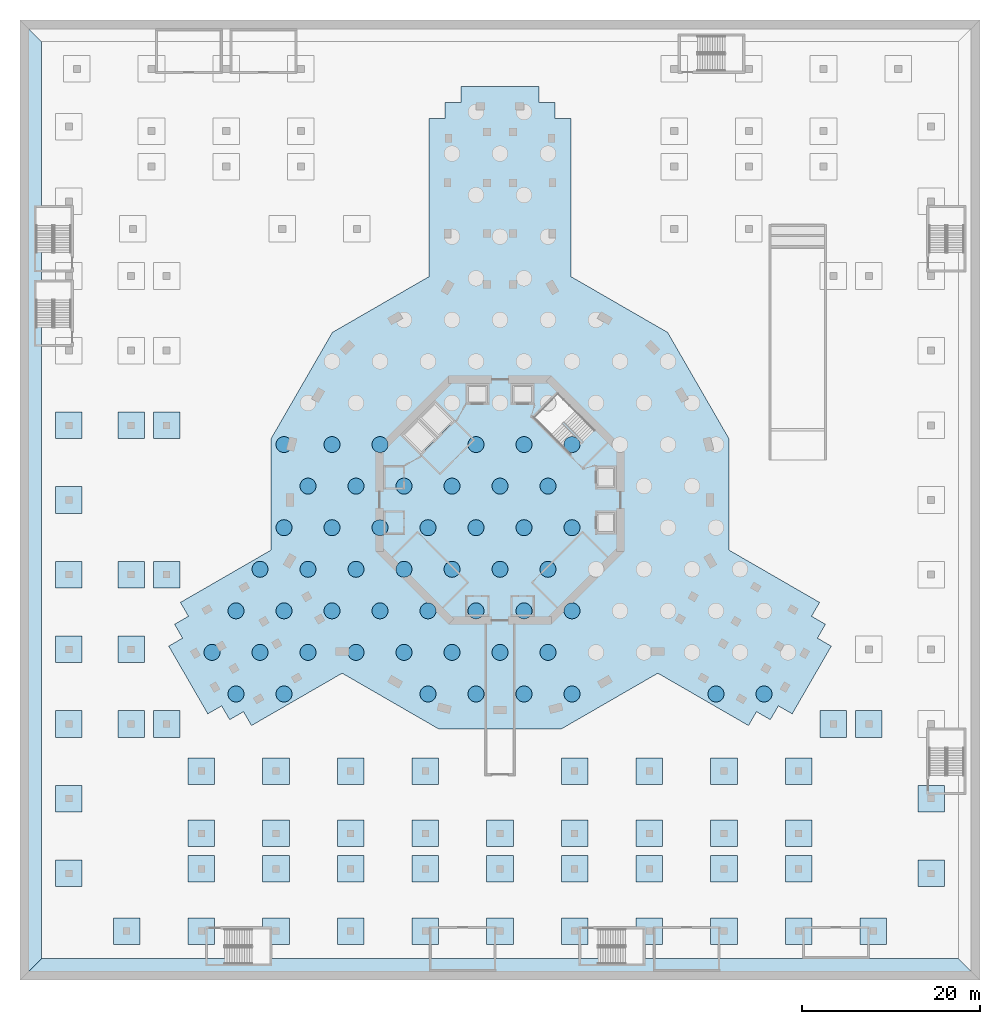
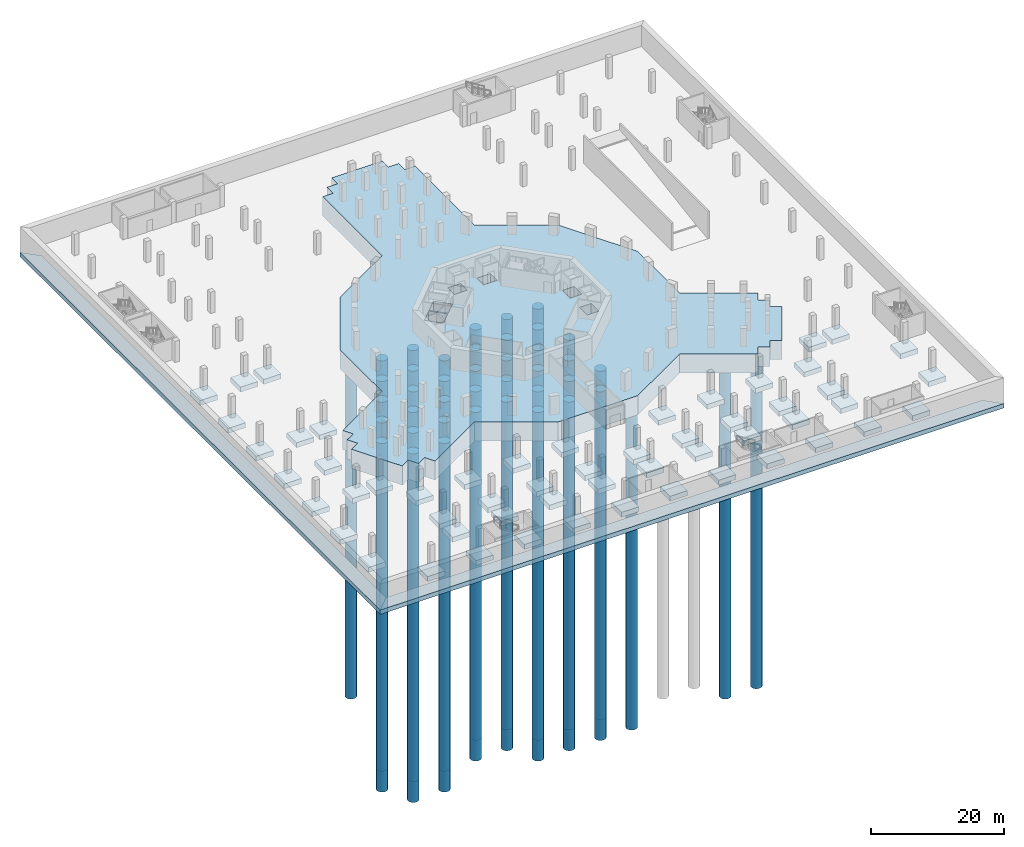
# One storey, part 1 of 27: 58 footings, 50 piles.
"""IFC4 building model written with IfcOpenShell, lengths in metres."""

from ifc_helpers import new_model, si_unit, direction, frame, origin, origin_2d, place, context, subcontext, project, spatial, polyline, circle, outline, extrude, material, layer, layer_set, material_profile, profile_set, type_object, element, save


model = new_model("IFC4")

# Units and contexts
model_context = context("Model", 3, precision=1e-05, world=origin(), true_north=direction((0.0, 1.0)))
body_context = subcontext(model_context, "Body", "Model", "MODEL_VIEW")
ifc_project = project(units=[si_unit("LENGTHUNIT", "METRE"), si_unit("AREAUNIT", "SQUARE_METRE"), si_unit("VOLUMEUNIT", "CUBIC_METRE"), si_unit("PLANEANGLEUNIT", "RADIAN"), si_unit("MASSUNIT", "GRAM", prefix="KILO")], contexts=[model_context])

# Site, building, storey
site_placement = place(None, origin())
site = spatial("IfcSite", under=ifc_project, at=site_placement, CompositionType="ELEMENT")
building_placement = place(site_placement, origin())
building = spatial("IfcBuilding", under=site, at=building_placement, Name="Verdalira Terraces Hotel", CompositionType="ELEMENT")
storey_placement = place(building_placement, frame((0.0, 0.0, -11.699951)))
storey = spatial("IfcBuildingStorey", under=building, at=storey_placement, Name="B3", CompositionType="ELEMENT", Elevation=-11.699951171875)

# Piles
ifc_material_1 = material(Name="Concrete C45", Category="concrete")
ifc_material_profile = material_profile(ifc_material_1, circle(Radius=0.899902, at=origin_2d()), Name="D1800")
ifc_profile_set = profile_set([ifc_material_profile], Name="Concrete C45")
pile_type = type_object("IfcPileType", Name="Bored pile D1800 C45", PredefinedType="BORED", material=ifc_profile_set)
for number, where, z_axis, x_axis, name in (
    (1, (-29.699951, -21.82373, -3.400146), (0.0, 0.0, -1.0), (1.0, 0.0, 0.0), "Bored pile P-001"),
    (2, (-24.300049, -21.82373, -3.400146), (0.0, 0.0, -1.0), (1.0, 0.0, 0.0), "Bored pile P-002"),
    (3, (-8.100098, -21.82373, -3.400146), (0.0, 0.0, -1.0), (1.0, 0.0, 0.0), "Bored pile P-003"),
    (4, (-2.699951, -21.82373, -3.400146), (0.0, 0.0, -1.0), (1.0, 0.0, 0.0), "Bored pile P-004"),
    (5, (2.699951, -21.82373, -3.400146), (0.0, 0.0, -1.0), (1.0, 0.0, 0.0), "Bored pile P-005"),
    (6, (8.100098, -21.82373, -3.400146), (0.0, 0.0, -1.0), (1.0, 0.0, 0.0), "Bored pile P-006"),
    (7, (24.300049, -21.82373, -3.400146), (0.0, 0.0, -1.0), (1.0, 0.0, 0.0), "Bored pile P-007"),
    (8, (29.699951, -21.82373, -3.400146), (0.0, 0.0, -1.0), (1.0, 0.0, 0.0), "Bored pile P-008"),
    (9, (-32.399902, -17.147217, -3.400146), (0.0, 0.0, -1.0), (1.0, 0.0, 0.0), "Bored pile P-009"),
    (10, (-27.0, -17.147217, -3.400146), (0.0, 0.0, -1.0), (1.0, 0.0, 0.0), "Bored pile P-010"),
    (11, (-21.600098, -17.147217, -3.400146), (0.0, 0.0, -1.0), (1.0, 0.0, 0.0), "Bored pile P-011"),
    (12, (-16.199951, -17.147217, -3.400146), (0.0, 0.0, -1.0), (1.0, 0.0, 0.0), "Bored pile P-012"),
    (13, (-10.800049, -17.147217, -3.400146), (0.0, 0.0, -1.0), (1.0, 0.0, 0.0), "Bored pile P-013"),
    (14, (-5.399902, -17.147217, -3.400146), (0.0, 0.0, -1.0), (1.0, 0.0, 0.0), "Bored pile P-014"),
    (15, (0.0, -17.147217, -3.400146), (0.0, 0.0, -1.0), (1.0, 0.0, 0.0), "Bored pile P-015"),
    (16, (5.399902, -17.147217, -3.400146), (0.0, 0.0, -1.0), (1.0, 0.0, 0.0), "Bored pile P-016"),
    (17, (-29.699951, -12.470703, -3.400146), (0.0, 0.0, -1.0), (1.0, 0.0, 0.0), "Bored pile P-022"),
    (18, (-24.300049, -12.470703, -3.400146), (0.0, 0.0, -1.0), (1.0, 0.0, 0.0), "Bored pile P-023"),
    (19, (-18.899902, -12.470703, -3.400146), (0.0, 0.0, -1.0), (1.0, 0.0, 0.0), "Bored pile P-024"),
    (20, (-13.5, -12.470703, -3.400146), (0.0, 0.0, -1.0), (1.0, 0.0, 0.0), "Bored pile P-025"),
    (21, (-8.100098, -12.470703, -3.400146), (0.0, 0.0, -1.0), (1.0, 0.0, 0.0), "Bored pile P-026"),
    (22, (-2.699951, -12.470703, -3.400146), (0.0, 0.0, -1.0), (1.0, 0.0, 0.0), "Bored pile P-027"),
    (23, (2.699951, -12.470703, -3.400146), (0.0, 0.0, -1.0), (1.0, 0.0, 0.0), "Bored pile P-028"),
    (24, (8.100098, -12.470703, -3.400146), (0.0, 0.0, -1.0), (1.0, 0.0, 0.0), "Bored pile P-029"),
    (25, (-27.0, -7.794189, -3.400146), (0.0, 0.0, -1.0), (1.0, 0.0, 0.0), "Bored pile P-034"),
    (26, (-21.600098, -7.794189, -3.400146), (0.0, 0.0, -1.0), (1.0, 0.0, 0.0), "Bored pile P-035"),
    (27, (-16.199951, -7.794189, -3.400146), (0.0, 0.0, -1.0), (1.0, 0.0, 0.0), "Bored pile P-036"),
    (28, (-10.800049, -7.794189, -3.400146), (0.0, 0.0, -1.0), (1.0, 0.0, 0.0), "Bored pile P-037"),
    (29, (-5.399902, -7.794189, -3.400146), (0.0, 0.0, -1.0), (1.0, 0.0, 0.0), "Bored pile P-038"),
    (30, (0.0, -7.794189, -3.400146), (0.0, 0.0, -1.0), (1.0, 0.0, 0.0), "Bored pile P-039"),
    (31, (5.399902, -7.794189, -3.400146), (0.0, 0.0, -1.0), (1.0, 0.0, 0.0), "Bored pile P-040"),
    (32, (-24.300049, -3.117676, -3.400146), (0.0, 0.0, -1.0), (1.0, 0.0, 0.0), "Bored pile P-045"),
    (33, (-18.899902, -3.117676, -3.400146), (0.0, 0.0, -1.0), (1.0, 0.0, 0.0), "Bored pile P-046"),
    (34, (-13.5, -3.117676, -3.400146), (0.0, 0.0, -1.0), (1.0, 0.0, 0.0), "Bored pile P-047"),
    (35, (-8.100098, -3.117676, -3.400146), (0.0, 0.0, -1.0), (1.0, 0.0, 0.0), "Bored pile P-048"),
    (36, (-2.699951, -3.117676, -3.400146), (0.0, 0.0, -1.0), (1.0, 0.0, 0.0), "Bored pile P-049"),
    (37, (2.699951, -3.117676, -3.400146), (0.0, 0.0, -1.0), (1.0, 0.0, 0.0), "Bored pile P-050"),
    (38, (8.100098, -3.117676, -3.400146), (0.0, 0.0, -1.0), (1.0, 0.0, 0.0), "Bored pile P-051"),
    (39, (-21.600098, 1.558838, -3.400146), (0.0, 0.0, -1.0), (1.0, 0.0, 0.0), "Bored pile P-054"),
    (40, (-16.199951, 1.558838, -3.400146), (0.0, 0.0, -1.0), (1.0, 0.0, 0.0), "Bored pile P-055"),
    (41, (-10.800049, 1.558838, -3.400146), (0.0, 0.0, -1.0), (1.0, 0.0, 0.0), "Bored pile P-056"),
    (42, (-5.399902, 1.558838, -3.400146), (0.0, 0.0, -1.0), (1.0, 0.0, 0.0), "Bored pile P-057"),
    (43, (0.0, 1.558838, -3.400146), (0.0, 0.0, -1.0), (1.0, 0.0, 0.0), "Bored pile P-058"),
    (44, (5.399902, 1.558838, -3.400146), (0.0, 0.0, -1.0), (1.0, 0.0, 0.0), "Bored pile P-059"),
    (45, (-24.300049, 6.235352, -3.400146), (0.0, 0.0, -1.0), (1.0, 0.0, 0.0), "Bored pile P-062"),
    (46, (-18.899902, 6.235352, -3.400146), (0.0, 0.0, -1.0), (1.0, 0.0, 0.0), "Bored pile P-063"),
    (47, (-13.5, 6.235352, -3.400146), (0.0, 0.0, -1.0), (1.0, 0.0, 0.0), "Bored pile P-064"),
    (48, (-2.699951, 6.235352, -3.400146), (0.0, 0.0, -1.0), (1.0, 0.0, 0.0), "Bored pile P-065"),
    (49, (2.699951, 6.235352, -3.400146), (0.0, 0.0, -1.0), (1.0, 0.0, 0.0), "Bored pile P-066"),
    (50, (8.100098, 6.235352, -3.400146), (0.0, 0.0, -1.0), (1.0, 0.0, 0.0), "Bored pile P-067"),
):
    element("IfcPile", number, at=place(storey_placement, frame(where, z_axis=z_axis, x_axis=x_axis)), inside=storey, type_object=pile_type, Name=name, PredefinedType="BORED", context=body_context, shape_type="SweptSolid", body=[
        extrude(circle(Radius=0.899902, at=origin_2d()), origin(), (0.0, 0.0, 1.0), 60.0),
    ])

# Footings
ifc_material_2 = material(Name="Concrete C40", Category="concrete")
footing_type_1 = type_object("IfcFootingType", Name="Pad footing 3000 C40", PredefinedType="PAD_FOOTING", material=ifc_material_2)
footing_1_placement = place(storey_placement, frame((0.0, 0.0, -1.699951)))
element("IfcFooting", 51, at=footing_1_placement, inside=storey, type_object=footing_type_1, Name="Pad footing 001", PredefinedType="PAD_FOOTING", context=body_context, shape_type="SweptSolid", body=[
    extrude(outline(polyline([(-40.5, -50.0), (-40.5, -47.0), (-43.5, -47.0), (-43.5, -50.0), (-40.5, -50.0)])), origin(), (0.0, 0.0, 1.0), 0.899902),
])
footing_2_placement = place(storey_placement, frame((0.0, 0.0, -1.699951)))
element("IfcFooting", 52, at=footing_2_placement, inside=storey, type_object=footing_type_1, Name="Pad footing 002", PredefinedType="PAD_FOOTING", context=body_context, shape_type="SweptSolid", body=[
    extrude(outline(polyline([(-32.100098, -50.0), (-32.100098, -47.0), (-35.100098, -47.0), (-35.100098, -50.0), (-32.100098, -50.0)])), origin(), (0.0, 0.0, 1.0), 0.899902),
])
footing_3_placement = place(storey_placement, frame((0.0, 0.0, -1.699951)))
element("IfcFooting", 53, at=footing_3_placement, inside=storey, type_object=footing_type_1, Name="Pad footing 003", PredefinedType="PAD_FOOTING", context=body_context, shape_type="SweptSolid", body=[
    extrude(outline(polyline([(-23.699951, -50.0), (-23.699951, -47.0), (-26.699951, -47.0), (-26.699951, -50.0), (-23.699951, -50.0)])), origin(), (0.0, 0.0, 1.0), 0.899902),
])
footing_4_placement = place(storey_placement, frame((0.0, 0.0, -1.699951)))
element("IfcFooting", 54, at=footing_4_placement, inside=storey, type_object=footing_type_1, Name="Pad footing 004", PredefinedType="PAD_FOOTING", context=body_context, shape_type="SweptSolid", body=[
    extrude(outline(polyline([(-15.300049, -50.0), (-15.300049, -47.0), (-18.300049, -47.0), (-18.300049, -50.0), (-15.300049, -50.0)])), origin(), (0.0, 0.0, 1.0), 0.899902),
])
footing_5_placement = place(storey_placement, frame((0.0, 0.0, -1.699951)))
element("IfcFooting", 55, at=footing_5_placement, inside=storey, type_object=footing_type_1, Name="Pad footing 005", PredefinedType="PAD_FOOTING", context=body_context, shape_type="SweptSolid", body=[
    extrude(outline(polyline([(-6.899902, -50.0), (-6.899902, -47.0), (-9.899902, -47.0), (-9.899902, -50.0), (-6.899902, -50.0)])), origin(), (0.0, 0.0, 1.0), 0.899902),
])
footing_6_placement = place(storey_placement, frame((0.0, 0.0, -1.699951)))
element("IfcFooting", 56, at=footing_6_placement, inside=storey, type_object=footing_type_1, Name="Pad footing 006", PredefinedType="PAD_FOOTING", context=body_context, shape_type="SweptSolid", body=[
    extrude(outline(polyline([(1.5, -50.0), (1.5, -47.0), (-1.5, -47.0), (-1.5, -50.0), (1.5, -50.0)])), origin(), (0.0, 0.0, 1.0), 0.899902),
])
footing_7_placement = place(storey_placement, frame((0.0, 0.0, -1.699951)))
element("IfcFooting", 57, at=footing_7_placement, inside=storey, type_object=footing_type_1, Name="Pad footing 007", PredefinedType="PAD_FOOTING", context=body_context, shape_type="SweptSolid", body=[
    extrude(outline(polyline([(9.899902, -50.0), (9.899902, -47.0), (6.899902, -47.0), (6.899902, -50.0), (9.899902, -50.0)])), origin(), (0.0, 0.0, 1.0), 0.899902),
])
footing_8_placement = place(storey_placement, frame((0.0, 0.0, -1.699951)))
element("IfcFooting", 58, at=footing_8_placement, inside=storey, type_object=footing_type_1, Name="Pad footing 008", PredefinedType="PAD_FOOTING", context=body_context, shape_type="SweptSolid", body=[
    extrude(outline(polyline([(18.300049, -50.0), (18.300049, -47.0), (15.300049, -47.0), (15.300049, -50.0), (18.300049, -50.0)])), origin(), (0.0, 0.0, 1.0), 0.899902),
])
footing_9_placement = place(storey_placement, frame((0.0, 0.0, -1.699951)))
element("IfcFooting", 59, at=footing_9_placement, inside=storey, type_object=footing_type_1, Name="Pad footing 009", PredefinedType="PAD_FOOTING", context=body_context, shape_type="SweptSolid", body=[
    extrude(outline(polyline([(26.699951, -50.0), (26.699951, -47.0), (23.699951, -47.0), (23.699951, -50.0), (26.699951, -50.0)])), origin(), (0.0, 0.0, 1.0), 0.899902),
])
footing_10_placement = place(storey_placement, frame((0.0, 0.0, -1.699951)))
element("IfcFooting", 60, at=footing_10_placement, inside=storey, type_object=footing_type_1, Name="Pad footing 010", PredefinedType="PAD_FOOTING", context=body_context, shape_type="SweptSolid", body=[
    extrude(outline(polyline([(35.100098, -50.0), (35.100098, -47.0), (32.100098, -47.0), (32.100098, -50.0), (35.100098, -50.0)])), origin(), (0.0, 0.0, 1.0), 0.899902),
])
footing_11_placement = place(storey_placement, frame((0.0, 0.0, -1.699951)))
element("IfcFooting", 61, at=footing_11_placement, inside=storey, type_object=footing_type_1, Name="Pad footing 011", PredefinedType="PAD_FOOTING", context=body_context, shape_type="SweptSolid", body=[
    extrude(outline(polyline([(43.5, -50.0), (43.5, -47.0), (40.5, -47.0), (40.5, -50.0), (43.5, -50.0)])), origin(), (0.0, 0.0, 1.0), 0.899902),
])
footing_12_placement = place(storey_placement, frame((0.0, 0.0, -1.699951)))
element("IfcFooting", 62, at=footing_12_placement, inside=storey, type_object=footing_type_1, Name="Pad footing 012", PredefinedType="PAD_FOOTING", context=body_context, shape_type="SweptSolid", body=[
    extrude(outline(polyline([(-47.0, -43.5), (-47.0, -40.5), (-50.0, -40.5), (-50.0, -43.5), (-47.0, -43.5)])), origin(), (0.0, 0.0, 1.0), 0.899902),
])
footing_13_placement = place(storey_placement, frame((0.0, 0.0, -1.699951)))
element("IfcFooting", 63, at=footing_13_placement, inside=storey, type_object=footing_type_1, Name="Pad footing 013", PredefinedType="PAD_FOOTING", context=body_context, shape_type="SweptSolid", body=[
    extrude(outline(polyline([(50.0, -43.5), (50.0, -40.5), (47.0, -40.5), (47.0, -43.5), (50.0, -43.5)])), origin(), (0.0, 0.0, 1.0), 0.899902),
])
footing_14_placement = place(storey_placement, frame((0.0, 0.0, -1.699951)))
element("IfcFooting", 64, at=footing_14_placement, inside=storey, type_object=footing_type_1, Name="Pad footing 014", PredefinedType="PAD_FOOTING", context=body_context, shape_type="SweptSolid", body=[
    extrude(outline(polyline([(-32.100098, -43.0), (-32.100098, -40.0), (-35.100098, -40.0), (-35.100098, -43.0), (-32.100098, -43.0)])), origin(), (0.0, 0.0, 1.0), 0.899902),
])
footing_15_placement = place(storey_placement, frame((0.0, 0.0, -1.699951)))
element("IfcFooting", 65, at=footing_15_placement, inside=storey, type_object=footing_type_1, Name="Pad footing 015", PredefinedType="PAD_FOOTING", context=body_context, shape_type="SweptSolid", body=[
    extrude(outline(polyline([(-23.699951, -43.0), (-23.699951, -40.0), (-26.699951, -40.0), (-26.699951, -43.0), (-23.699951, -43.0)])), origin(), (0.0, 0.0, 1.0), 0.899902),
])
footing_16_placement = place(storey_placement, frame((0.0, 0.0, -1.699951)))
element("IfcFooting", 66, at=footing_16_placement, inside=storey, type_object=footing_type_1, Name="Pad footing 016", PredefinedType="PAD_FOOTING", context=body_context, shape_type="SweptSolid", body=[
    extrude(outline(polyline([(-15.300049, -43.0), (-15.300049, -40.0), (-18.300049, -40.0), (-18.300049, -43.0), (-15.300049, -43.0)])), origin(), (0.0, 0.0, 1.0), 0.899902),
])
footing_17_placement = place(storey_placement, frame((0.0, 0.0, -1.699951)))
element("IfcFooting", 67, at=footing_17_placement, inside=storey, type_object=footing_type_1, Name="Pad footing 017", PredefinedType="PAD_FOOTING", context=body_context, shape_type="SweptSolid", body=[
    extrude(outline(polyline([(-6.899902, -43.0), (-6.899902, -40.0), (-9.899902, -40.0), (-9.899902, -43.0), (-6.899902, -43.0)])), origin(), (0.0, 0.0, 1.0), 0.899902),
])
footing_18_placement = place(storey_placement, frame((0.0, 0.0, -1.699951)))
element("IfcFooting", 68, at=footing_18_placement, inside=storey, type_object=footing_type_1, Name="Pad footing 018", PredefinedType="PAD_FOOTING", context=body_context, shape_type="SweptSolid", body=[
    extrude(outline(polyline([(1.5, -43.0), (1.5, -40.0), (-1.5, -40.0), (-1.5, -43.0), (1.5, -43.0)])), origin(), (0.0, 0.0, 1.0), 0.899902),
])
footing_19_placement = place(storey_placement, frame((0.0, 0.0, -1.699951)))
element("IfcFooting", 69, at=footing_19_placement, inside=storey, type_object=footing_type_1, Name="Pad footing 019", PredefinedType="PAD_FOOTING", context=body_context, shape_type="SweptSolid", body=[
    extrude(outline(polyline([(9.899902, -43.0), (9.899902, -40.0), (6.899902, -40.0), (6.899902, -43.0), (9.899902, -43.0)])), origin(), (0.0, 0.0, 1.0), 0.899902),
])
footing_20_placement = place(storey_placement, frame((0.0, 0.0, -1.699951)))
element("IfcFooting", 70, at=footing_20_placement, inside=storey, type_object=footing_type_1, Name="Pad footing 020", PredefinedType="PAD_FOOTING", context=body_context, shape_type="SweptSolid", body=[
    extrude(outline(polyline([(18.300049, -43.0), (18.300049, -40.0), (15.300049, -40.0), (15.300049, -43.0), (18.300049, -43.0)])), origin(), (0.0, 0.0, 1.0), 0.899902),
])
footing_21_placement = place(storey_placement, frame((0.0, 0.0, -1.699951)))
element("IfcFooting", 71, at=footing_21_placement, inside=storey, type_object=footing_type_1, Name="Pad footing 021", PredefinedType="PAD_FOOTING", context=body_context, shape_type="SweptSolid", body=[
    extrude(outline(polyline([(26.699951, -43.0), (26.699951, -40.0), (23.699951, -40.0), (23.699951, -43.0), (26.699951, -43.0)])), origin(), (0.0, 0.0, 1.0), 0.899902),
])
footing_22_placement = place(storey_placement, frame((0.0, 0.0, -1.699951)))
element("IfcFooting", 72, at=footing_22_placement, inside=storey, type_object=footing_type_1, Name="Pad footing 022", PredefinedType="PAD_FOOTING", context=body_context, shape_type="SweptSolid", body=[
    extrude(outline(polyline([(35.100098, -43.0), (35.100098, -40.0), (32.100098, -40.0), (32.100098, -43.0), (35.100098, -43.0)])), origin(), (0.0, 0.0, 1.0), 0.899902),
])
footing_23_placement = place(storey_placement, frame((0.0, 0.0, -1.699951)))
element("IfcFooting", 73, at=footing_23_placement, inside=storey, type_object=footing_type_1, Name="Pad footing 023", PredefinedType="PAD_FOOTING", context=body_context, shape_type="SweptSolid", body=[
    extrude(outline(polyline([(-32.100098, -39.0), (-32.100098, -36.0), (-35.100098, -36.0), (-35.100098, -39.0), (-32.100098, -39.0)])), origin(), (0.0, 0.0, 1.0), 0.899902),
])
footing_24_placement = place(storey_placement, frame((0.0, 0.0, -1.699951)))
element("IfcFooting", 74, at=footing_24_placement, inside=storey, type_object=footing_type_1, Name="Pad footing 024", PredefinedType="PAD_FOOTING", context=body_context, shape_type="SweptSolid", body=[
    extrude(outline(polyline([(-23.699951, -39.0), (-23.699951, -36.0), (-26.699951, -36.0), (-26.699951, -39.0), (-23.699951, -39.0)])), origin(), (0.0, 0.0, 1.0), 0.899902),
])
footing_25_placement = place(storey_placement, frame((0.0, 0.0, -1.699951)))
element("IfcFooting", 75, at=footing_25_placement, inside=storey, type_object=footing_type_1, Name="Pad footing 025", PredefinedType="PAD_FOOTING", context=body_context, shape_type="SweptSolid", body=[
    extrude(outline(polyline([(-15.300049, -39.0), (-15.300049, -36.0), (-18.300049, -36.0), (-18.300049, -39.0), (-15.300049, -39.0)])), origin(), (0.0, 0.0, 1.0), 0.899902),
])
footing_26_placement = place(storey_placement, frame((0.0, 0.0, -1.699951)))
element("IfcFooting", 76, at=footing_26_placement, inside=storey, type_object=footing_type_1, Name="Pad footing 026", PredefinedType="PAD_FOOTING", context=body_context, shape_type="SweptSolid", body=[
    extrude(outline(polyline([(-6.899902, -39.0), (-6.899902, -36.0), (-9.899902, -36.0), (-9.899902, -39.0), (-6.899902, -39.0)])), origin(), (0.0, 0.0, 1.0), 0.899902),
])
footing_27_placement = place(storey_placement, frame((0.0, 0.0, -1.699951)))
element("IfcFooting", 77, at=footing_27_placement, inside=storey, type_object=footing_type_1, Name="Pad footing 027", PredefinedType="PAD_FOOTING", context=body_context, shape_type="SweptSolid", body=[
    extrude(outline(polyline([(1.5, -39.0), (1.5, -36.0), (-1.5, -36.0), (-1.5, -39.0), (1.5, -39.0)])), origin(), (0.0, 0.0, 1.0), 0.899902),
])
footing_28_placement = place(storey_placement, frame((0.0, 0.0, -1.699951)))
element("IfcFooting", 78, at=footing_28_placement, inside=storey, type_object=footing_type_1, Name="Pad footing 028", PredefinedType="PAD_FOOTING", context=body_context, shape_type="SweptSolid", body=[
    extrude(outline(polyline([(9.899902, -39.0), (9.899902, -36.0), (6.899902, -36.0), (6.899902, -39.0), (9.899902, -39.0)])), origin(), (0.0, 0.0, 1.0), 0.899902),
])
footing_29_placement = place(storey_placement, frame((0.0, 0.0, -1.699951)))
element("IfcFooting", 79, at=footing_29_placement, inside=storey, type_object=footing_type_1, Name="Pad footing 029", PredefinedType="PAD_FOOTING", context=body_context, shape_type="SweptSolid", body=[
    extrude(outline(polyline([(18.300049, -39.0), (18.300049, -36.0), (15.300049, -36.0), (15.300049, -39.0), (18.300049, -39.0)])), origin(), (0.0, 0.0, 1.0), 0.899902),
])
footing_30_placement = place(storey_placement, frame((0.0, 0.0, -1.699951)))
element("IfcFooting", 80, at=footing_30_placement, inside=storey, type_object=footing_type_1, Name="Pad footing 030", PredefinedType="PAD_FOOTING", context=body_context, shape_type="SweptSolid", body=[
    extrude(outline(polyline([(26.699951, -39.0), (26.699951, -36.0), (23.699951, -36.0), (23.699951, -39.0), (26.699951, -39.0)])), origin(), (0.0, 0.0, 1.0), 0.899902),
])
footing_31_placement = place(storey_placement, frame((0.0, 0.0, -1.699951)))
element("IfcFooting", 81, at=footing_31_placement, inside=storey, type_object=footing_type_1, Name="Pad footing 031", PredefinedType="PAD_FOOTING", context=body_context, shape_type="SweptSolid", body=[
    extrude(outline(polyline([(35.100098, -39.0), (35.100098, -36.0), (32.100098, -36.0), (32.100098, -39.0), (35.100098, -39.0)])), origin(), (0.0, 0.0, 1.0), 0.899902),
])
footing_32_placement = place(storey_placement, frame((0.0, 0.0, -1.699951)))
element("IfcFooting", 82, at=footing_32_placement, inside=storey, type_object=footing_type_1, Name="Pad footing 032", PredefinedType="PAD_FOOTING", context=body_context, shape_type="SweptSolid", body=[
    extrude(outline(polyline([(-47.0, -35.100098), (-47.0, -32.100098), (-50.0, -32.100098), (-50.0, -35.100098), (-47.0, -35.100098)])), origin(), (0.0, 0.0, 1.0), 0.899902),
])
footing_33_placement = place(storey_placement, frame((0.0, 0.0, -1.699951)))
element("IfcFooting", 83, at=footing_33_placement, inside=storey, type_object=footing_type_1, Name="Pad footing 033", PredefinedType="PAD_FOOTING", context=body_context, shape_type="SweptSolid", body=[
    extrude(outline(polyline([(50.0, -35.100098), (50.0, -32.100098), (47.0, -32.100098), (47.0, -35.100098), (50.0, -35.100098)])), origin(), (0.0, 0.0, 1.0), 0.899902),
])
footing_34_placement = place(storey_placement, frame((0.0, 0.0, -1.699951)))
element("IfcFooting", 84, at=footing_34_placement, inside=storey, type_object=footing_type_1, Name="Pad footing 034", PredefinedType="PAD_FOOTING", context=body_context, shape_type="SweptSolid", body=[
    extrude(outline(polyline([(-32.100098, -32.0), (-32.100098, -29.0), (-35.100098, -29.0), (-35.100098, -32.0), (-32.100098, -32.0)])), origin(), (0.0, 0.0, 1.0), 0.899902),
])
footing_35_placement = place(storey_placement, frame((0.0, 0.0, -1.699951)))
element("IfcFooting", 85, at=footing_35_placement, inside=storey, type_object=footing_type_1, Name="Pad footing 035", PredefinedType="PAD_FOOTING", context=body_context, shape_type="SweptSolid", body=[
    extrude(outline(polyline([(-23.699951, -32.0), (-23.699951, -29.0), (-26.699951, -29.0), (-26.699951, -32.0), (-23.699951, -32.0)])), origin(), (0.0, 0.0, 1.0), 0.899902),
])
footing_36_placement = place(storey_placement, frame((0.0, 0.0, -1.699951)))
element("IfcFooting", 86, at=footing_36_placement, inside=storey, type_object=footing_type_1, Name="Pad footing 036", PredefinedType="PAD_FOOTING", context=body_context, shape_type="SweptSolid", body=[
    extrude(outline(polyline([(-15.300049, -32.0), (-15.300049, -29.0), (-18.300049, -29.0), (-18.300049, -32.0), (-15.300049, -32.0)])), origin(), (0.0, 0.0, 1.0), 0.899902),
])
footing_37_placement = place(storey_placement, frame((0.0, 0.0, -1.699951)))
element("IfcFooting", 87, at=footing_37_placement, inside=storey, type_object=footing_type_1, Name="Pad footing 037", PredefinedType="PAD_FOOTING", context=body_context, shape_type="SweptSolid", body=[
    extrude(outline(polyline([(-6.899902, -32.0), (-6.899902, -29.0), (-9.899902, -29.0), (-9.899902, -32.0), (-6.899902, -32.0)])), origin(), (0.0, 0.0, 1.0), 0.899902),
])
footing_38_placement = place(storey_placement, frame((0.0, 0.0, -1.699951)))
element("IfcFooting", 88, at=footing_38_placement, inside=storey, type_object=footing_type_1, Name="Pad footing 038", PredefinedType="PAD_FOOTING", context=body_context, shape_type="SweptSolid", body=[
    extrude(outline(polyline([(9.899902, -32.0), (9.899902, -29.0), (6.899902, -29.0), (6.899902, -32.0), (9.899902, -32.0)])), origin(), (0.0, 0.0, 1.0), 0.899902),
])
footing_39_placement = place(storey_placement, frame((0.0, 0.0, -1.699951)))
element("IfcFooting", 89, at=footing_39_placement, inside=storey, type_object=footing_type_1, Name="Pad footing 039", PredefinedType="PAD_FOOTING", context=body_context, shape_type="SweptSolid", body=[
    extrude(outline(polyline([(18.300049, -32.0), (18.300049, -29.0), (15.300049, -29.0), (15.300049, -32.0), (18.300049, -32.0)])), origin(), (0.0, 0.0, 1.0), 0.899902),
])
footing_40_placement = place(storey_placement, frame((0.0, 0.0, -1.699951)))
element("IfcFooting", 90, at=footing_40_placement, inside=storey, type_object=footing_type_1, Name="Pad footing 040", PredefinedType="PAD_FOOTING", context=body_context, shape_type="SweptSolid", body=[
    extrude(outline(polyline([(26.699951, -32.0), (26.699951, -29.0), (23.699951, -29.0), (23.699951, -32.0), (26.699951, -32.0)])), origin(), (0.0, 0.0, 1.0), 0.899902),
])
footing_41_placement = place(storey_placement, frame((0.0, 0.0, -1.699951)))
element("IfcFooting", 91, at=footing_41_placement, inside=storey, type_object=footing_type_1, Name="Pad footing 041", PredefinedType="PAD_FOOTING", context=body_context, shape_type="SweptSolid", body=[
    extrude(outline(polyline([(35.100098, -32.0), (35.100098, -29.0), (32.100098, -29.0), (32.100098, -32.0), (35.100098, -32.0)])), origin(), (0.0, 0.0, 1.0), 0.899902),
])
footing_42_placement = place(storey_placement, frame((0.0, 0.0, -1.699951)))
element("IfcFooting", 92, at=footing_42_placement, inside=storey, type_object=footing_type_1, Name="Pad footing 042", PredefinedType="PAD_FOOTING", context=body_context, shape_type="SweptSolid", body=[
    extrude(outline(polyline([(-47.0, -26.699951), (-47.0, -23.699951), (-50.0, -23.699951), (-50.0, -26.699951), (-47.0, -26.699951)])), origin(), (0.0, 0.0, 1.0), 0.899902),
])
footing_43_placement = place(storey_placement, frame((0.0, 0.0, -1.699951)))
element("IfcFooting", 93, at=footing_43_placement, inside=storey, type_object=footing_type_1, Name="Pad footing 043", PredefinedType="PAD_FOOTING", context=body_context, shape_type="SweptSolid", body=[
    extrude(outline(polyline([(-40.0, -26.699951), (-40.0, -23.699951), (-43.0, -23.699951), (-43.0, -26.699951), (-40.0, -26.699951)])), origin(), (0.0, 0.0, 1.0), 0.899902),
])
footing_44_placement = place(storey_placement, frame((0.0, 0.0, -1.699951)))
element("IfcFooting", 94, at=footing_44_placement, inside=storey, type_object=footing_type_1, Name="Pad footing 044", PredefinedType="PAD_FOOTING", context=body_context, shape_type="SweptSolid", body=[
    extrude(outline(polyline([(-36.0, -26.699951), (-36.0, -23.699951), (-39.0, -23.699951), (-39.0, -26.699951), (-36.0, -26.699951)])), origin(), (0.0, 0.0, 1.0), 0.899902),
])
footing_45_placement = place(storey_placement, frame((0.0, 0.0, -1.699951)))
element("IfcFooting", 95, at=footing_45_placement, inside=storey, type_object=footing_type_1, Name="Pad footing 045", PredefinedType="PAD_FOOTING", context=body_context, shape_type="SweptSolid", body=[
    extrude(outline(polyline([(39.0, -26.699951), (39.0, -23.699951), (36.0, -23.699951), (36.0, -26.699951), (39.0, -26.699951)])), origin(), (0.0, 0.0, 1.0), 0.899902),
])
footing_46_placement = place(storey_placement, frame((0.0, 0.0, -1.699951)))
element("IfcFooting", 96, at=footing_46_placement, inside=storey, type_object=footing_type_1, Name="Pad footing 046", PredefinedType="PAD_FOOTING", context=body_context, shape_type="SweptSolid", body=[
    extrude(outline(polyline([(43.0, -26.699951), (43.0, -23.699951), (40.0, -23.699951), (40.0, -26.699951), (43.0, -26.699951)])), origin(), (0.0, 0.0, 1.0), 0.899902),
])
footing_47_placement = place(storey_placement, frame((0.0, 0.0, -1.699951)))
element("IfcFooting", 97, at=footing_47_placement, inside=storey, type_object=footing_type_1, Name="Pad footing 048", PredefinedType="PAD_FOOTING", context=body_context, shape_type="SweptSolid", body=[
    extrude(outline(polyline([(-47.0, -18.300049), (-47.0, -15.300049), (-50.0, -15.300049), (-50.0, -18.300049), (-47.0, -18.300049)])), origin(), (0.0, 0.0, 1.0), 0.899902),
])
footing_48_placement = place(storey_placement, frame((0.0, 0.0, -1.699951)))
element("IfcFooting", 98, at=footing_48_placement, inside=storey, type_object=footing_type_1, Name="Pad footing 049", PredefinedType="PAD_FOOTING", context=body_context, shape_type="SweptSolid", body=[
    extrude(outline(polyline([(-40.0, -18.300049), (-40.0, -15.300049), (-43.0, -15.300049), (-43.0, -18.300049), (-40.0, -18.300049)])), origin(), (0.0, 0.0, 1.0), 0.899902),
])
footing_49_placement = place(storey_placement, frame((0.0, 0.0, -1.699951)))
element("IfcFooting", 99, at=footing_49_placement, inside=storey, type_object=footing_type_1, Name="Pad footing 052", PredefinedType="PAD_FOOTING", context=body_context, shape_type="SweptSolid", body=[
    extrude(outline(polyline([(-47.0, -9.899902), (-47.0, -6.899902), (-50.0, -6.899902), (-50.0, -9.899902), (-47.0, -9.899902)])), origin(), (0.0, 0.0, 1.0), 0.899902),
])
footing_50_placement = place(storey_placement, frame((0.0, 0.0, -1.699951)))
element("IfcFooting", 100, at=footing_50_placement, inside=storey, type_object=footing_type_1, Name="Pad footing 053", PredefinedType="PAD_FOOTING", context=body_context, shape_type="SweptSolid", body=[
    extrude(outline(polyline([(-40.0, -9.899902), (-40.0, -6.899902), (-43.0, -6.899902), (-43.0, -9.899902), (-40.0, -9.899902)])), origin(), (0.0, 0.0, 1.0), 0.899902),
])
footing_51_placement = place(storey_placement, frame((0.0, 0.0, -1.699951)))
element("IfcFooting", 101, at=footing_51_placement, inside=storey, type_object=footing_type_1, Name="Pad footing 054", PredefinedType="PAD_FOOTING", context=body_context, shape_type="SweptSolid", body=[
    extrude(outline(polyline([(-36.0, -9.899902), (-36.0, -6.899902), (-39.0, -6.899902), (-39.0, -9.899902), (-36.0, -9.899902)])), origin(), (0.0, 0.0, 1.0), 0.899902),
])
footing_52_placement = place(storey_placement, frame((0.0, 0.0, -1.699951)))
element("IfcFooting", 102, at=footing_52_placement, inside=storey, type_object=footing_type_1, Name="Pad footing 056", PredefinedType="PAD_FOOTING", context=body_context, shape_type="SweptSolid", body=[
    extrude(outline(polyline([(-47.0, -1.5), (-47.0, 1.5), (-50.0, 1.5), (-50.0, -1.5), (-47.0, -1.5)])), origin(), (0.0, 0.0, 1.0), 0.899902),
])
footing_53_placement = place(storey_placement, frame((0.0, 0.0, -1.699951)))
element("IfcFooting", 103, at=footing_53_placement, inside=storey, type_object=footing_type_1, Name="Pad footing 058", PredefinedType="PAD_FOOTING", context=body_context, shape_type="SweptSolid", body=[
    extrude(outline(polyline([(-47.0, 6.899902), (-47.0, 9.899902), (-50.0, 9.899902), (-50.0, 6.899902), (-47.0, 6.899902)])), origin(), (0.0, 0.0, 1.0), 0.899902),
])
footing_54_placement = place(storey_placement, frame((0.0, 0.0, -1.699951)))
element("IfcFooting", 104, at=footing_54_placement, inside=storey, type_object=footing_type_1, Name="Pad footing 059", PredefinedType="PAD_FOOTING", context=body_context, shape_type="SweptSolid", body=[
    extrude(outline(polyline([(-40.0, 6.899902), (-40.0, 9.899902), (-43.0, 9.899902), (-43.0, 6.899902), (-40.0, 6.899902)])), origin(), (0.0, 0.0, 1.0), 0.899902),
])
footing_55_placement = place(storey_placement, frame((0.0, 0.0, -1.699951)))
element("IfcFooting", 105, at=footing_55_placement, inside=storey, type_object=footing_type_1, Name="Pad footing 060", PredefinedType="PAD_FOOTING", context=body_context, shape_type="SweptSolid", body=[
    extrude(outline(polyline([(-36.0, 6.899902), (-36.0, 9.899902), (-39.0, 9.899902), (-39.0, 6.899902), (-36.0, 6.899902)])), origin(), (0.0, 0.0, 1.0), 0.899902),
])
ifc_material_3 = material(Name="Concrete C50", Category="concrete")
ifc_layer = layer(ifc_material_3, 3.5)
ifc_layer_set = layer_set([ifc_layer], Name="Piled raft 3500 C50")
footing_type_2 = type_object("IfcFootingType", Name="Piled raft 3500 C50", PredefinedType="PILE_CAP", material=ifc_layer_set)
footing_56_placement = place(storey_placement, frame((0.0, 0.0, -3.5)))
element("IfcFooting", 106, at=footing_56_placement, inside=storey, type_object=footing_type_2, Name="Raft R1", PredefinedType="PILE_CAP", context=body_context, shape_type="SweptSolid", body=[
    extrude(outline(polyline([(18.856445, 18.856445), (8.0, 25.124512), (8.0, 42.899902), (6.199951, 42.899902), (6.199951, 44.699951), (4.399902, 44.699951), (4.399902, 46.5), (-4.399902, 46.5), (-4.399902, 44.699951), (-6.199951, 44.699951), (-6.199951, 42.899902), (-8.0, 42.899902), (-8.0, 25.124512), (-18.856445, 18.856445), (-25.758301, 6.901855), (-25.758301, -5.634033), (-35.956299, -11.521729), (-35.056396, -13.080566), (-36.615234, -13.980713), (-35.715088, -15.539551), (-37.273926, -16.439453), (-32.874023, -24.060547), (-31.315186, -23.1604), (-30.415283, -24.719482), (-28.856201, -23.819336), (-27.956299, -25.378174), (-17.758301, -19.490479), (-6.901855, -25.758301), (6.901855, -25.758301), (17.758301, -19.490479), (27.956299, -25.378174), (28.856201, -23.819336), (30.415283, -24.719482), (31.315186, -23.1604), (32.874023, -24.060547), (37.273926, -16.439453), (35.715088, -15.539551), (36.615234, -13.980713), (35.056396, -13.080566), (35.956299, -11.521729), (25.758301, -5.634033), (25.758301, 6.901855), (18.856445, 18.856445)]), holes=[polyline([(12.899902, -1.399902), (12.899902, -3.699951), (10.899902, -3.699951), (10.899902, -1.399902), (12.899902, -1.399902)]), polyline([(12.899902, 3.699951), (12.899902, 1.399902), (10.899902, 1.399902), (10.899902, 3.699951), (12.899902, 3.699951)]), polyline([(-10.960205, 7.283203), (-9.192383, 9.051025), (-7.106445, 6.965088), (-8.874268, 5.197266), (-10.960205, 7.283203)]), polyline([(-6.965088, 7.106445), (-9.051025, 9.192383), (-7.283203, 10.960205), (-5.197266, 8.874268), (-6.965088, 7.106445)]), polyline([(-3.699951, 12.899902), (-1.399902, 12.899902), (-1.399902, 10.899902), (-3.699951, 10.899902), (-3.699951, 12.899902)]), polyline([(3.699951, 12.899902), (3.699951, 10.899902), (1.399902, 10.899902), (1.399902, 12.899902), (3.699951, 12.899902)])]), origin(), (0.0, 0.0, 1.0), 3.5),
])
ifc_material_4 = material(Name="Concrete C40", Category="concrete")
footing_type_3 = type_object("IfcFootingType", Name="Wall strip footing 800 C40", PredefinedType="STRIP_FOOTING", material=ifc_material_4)
footing_57_placement = place(storey_placement, frame((0.0, 0.0, -1.600098)))
element("IfcFooting", 107, at=footing_57_placement, inside=storey, type_object=footing_type_3, Name="Retaining wall strip footing 2", PredefinedType="STRIP_FOOTING", context=body_context, shape_type="SweptSolid", body=[
    extrude(outline(polyline([(-54.0, 54.0), (-54.0, -54.0), (-51.600098, -51.600098), (-51.600098, 51.600098), (-54.0, 54.0)])), origin(), (0.0, 0.0, 1.0), 0.800049),
])
footing_58_placement = place(storey_placement, frame((0.0, 0.0, -1.600098)))
element("IfcFooting", 108, at=footing_58_placement, inside=storey, type_object=footing_type_3, Name="Retaining wall strip footing 3", PredefinedType="STRIP_FOOTING", context=body_context, shape_type="SweptSolid", body=[
    extrude(outline(polyline([(-54.0, -54.0), (54.0, -54.0), (51.600098, -51.600098), (-51.600098, -51.600098), (-54.0, -54.0)])), origin(), (0.0, 0.0, 1.0), 0.800049),
])

save(model, "model.ifc")
